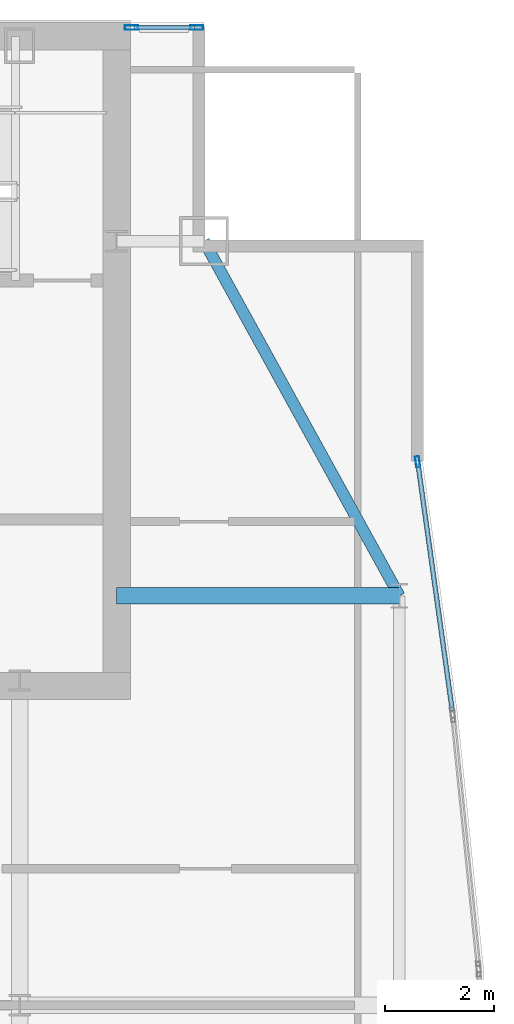
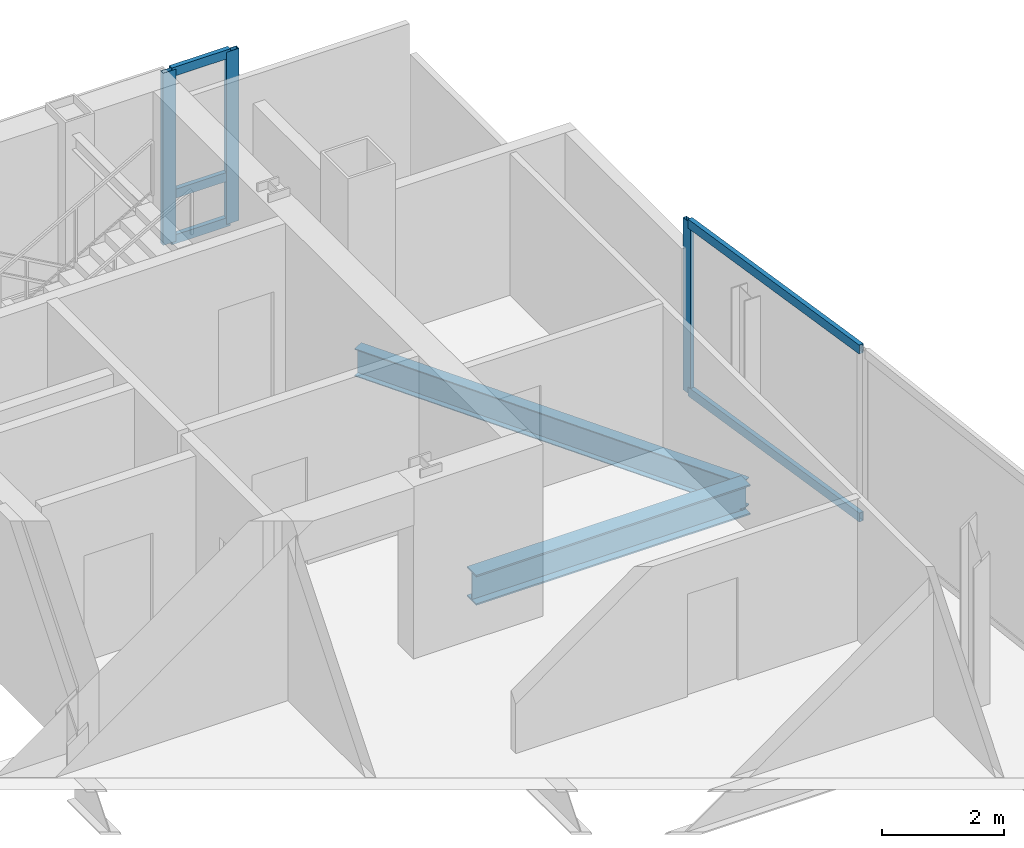
# One storey, part 19 of 26: 8 members, 2 beams, 2 elements without a shape of their own.
"""IFC4 building model written with IfcOpenShell, lengths in metres."""

from ifc_helpers import new_model, si_unit, direction, frame, origin, origin_2d, place, context, subcontext, project, spatial, hollow_rectangle, i_section, extrude, material, material_profile, profile_set, type_object, element, aggregate, save


model = new_model("IFC4")

# Units and contexts
model_context = context("Model", 3, precision=1e-05, world=origin(), true_north=direction((0.0, 1.0)))
body_context = subcontext(model_context, "Body", "Model", "MODEL_VIEW")
ifc_project = project(units=[si_unit("LENGTHUNIT", "METRE"), si_unit("AREAUNIT", "SQUARE_METRE"), si_unit("VOLUMEUNIT", "CUBIC_METRE"), si_unit("PLANEANGLEUNIT", "RADIAN"), si_unit("MASSUNIT", "GRAM", prefix="KILO")], contexts=[model_context])

# Site, building, storey
site_placement = place(None, origin())
site = spatial("IfcSite", under=ifc_project, at=site_placement, CompositionType="ELEMENT")
building_placement = place(site_placement, origin())
building = spatial("IfcBuilding", under=site, at=building_placement, Name="Khoronbel Lancet Exchange", CompositionType="ELEMENT")
storey_placement = place(building_placement, frame((0.0, 0.0, 339.800048828125)))
storey = spatial("IfcBuildingStorey", under=building, at=storey_placement, Name="L88", CompositionType="ELEMENT", Elevation=339.800048828125)

# Beams
ifc_material_1 = material(Name="Steel S355", Category="steel")
ifc_material_profile_1 = material_profile(ifc_material_1, i_section(OverallWidth=0.300048828125, OverallDepth=0.60009765625, WebThickness=0.015380859375, FlangeThickness=0.030029296875, at=origin_2d()), Name="HEB 600")
ifc_profile_set_1 = profile_set([ifc_material_profile_1], Name="Steel S355")
beam_type_1 = type_object("IfcBeamType", Name="BM-BG5", PredefinedType="BEAM", material=ifc_profile_set_1)
beam_1_placement = place(storey_placement, frame((56.449951171875, 43.199951171875, -0.4599609375), z_axis=(1.0, 0.0, 0.0), x_axis=(0.0, 1.0, 0.0)))
element("IfcBeam", 1, at=beam_1_placement, inside=storey, type_object=beam_type_1, Name="Level L88 east lens tie girder LG3E", PredefinedType="BEAM", context=body_context, shape_type="SweptSolid", body=[
    extrude(i_section(OverallWidth=0.300048828125, OverallDepth=0.60009765625, WebThickness=0.015380859375, FlangeThickness=0.030029296875, at=origin_2d()), origin(), (0.0, 0.0, 1.0), 5.179931640625),
])
ifc_material_profile_2 = material_profile(ifc_material_1, i_section(OverallWidth=0.2099609375, OverallDepth=0.550048828125, WebThickness=0.010986328125, FlangeThickness=0.01708984375, at=origin_2d()), Name="IPE 550")
ifc_profile_set_2 = profile_set([ifc_material_profile_2], Name="Steel S355")
beam_type_2 = type_object("IfcBeamType", Name="BM-BSP3", PredefinedType="SPANDREL", material=ifc_profile_set_2)
beam_2_placement = place(storey_placement, frame((61.6298828125, 43.199951171875, -0.43505859375), z_axis=(-0.482418808117, 0.875940690672, 0.0), x_axis=(-0.875940690672, -0.482418808117, 0.0)))
element("IfcBeam", 2, at=beam_2_placement, inside=storey, type_object=beam_type_2, Name="Level L88 perimeter spandrel beam SP13", PredefinedType="SPANDREL", context=body_context, shape_type="SweptSolid", body=[
    extrude(i_section(OverallWidth=0.2099609375, OverallDepth=0.550048828125, WebThickness=0.010986328125, FlangeThickness=0.01708984375, at=origin_2d()), origin(), (0.0, 0.0, 1.0), 7.420654296875),
])

# Curtain wall, members
ifc_material_2 = material(Name="Low-E Solar Control Insulating Glass", Category="glass")
curtain_wall_type_1 = type_object("IfcCurtainWallType", Name="CW-3", PredefinedType="NOTDEFINED", material=ifc_material_2)
curtain_wall_1_placement = place(storey_placement, origin())
curtain_wall_1 = element("IfcCurtainWall", 3, at=curtain_wall_1_placement, inside=storey, type_object=curtain_wall_type_1, Name="Unitised curtain wall CW-L88-NEFLK", PredefinedType="NOTDEFINED")
ifc_material_3 = material(Name="Bronze-Anodised Aluminium 6063-T6", Category="aluminium")
ifc_material_profile_3 = material_profile(ifc_material_3, hollow_rectangle(XDim=0.0849609375, YDim=0.239990234375, WallThickness=0.006103515625, at=origin_2d()), Name="ALU MULLION 85x240")
ifc_profile_set_3 = profile_set([ifc_material_profile_3], Name="Bronze-Anodised Aluminium 6063-T6")
member_type_1 = type_object("IfcMemberType", Name="MEM-CWM1", PredefinedType="MULLION", material=ifc_profile_set_3)
member_1_placement = place(storey_placement, frame((57.91748046875, 53.610107421875, 0.0), z_axis=(0.0, 0.0, 1.0), x_axis=(0.0, -1.0, 0.0)))
member_1 = element("IfcMember", 4, at=member_1_placement, type_object=member_type_1, Name="CW3 mullion 1", PredefinedType="MULLION", context=body_context, shape_type="SweptSolid", body=[
    extrude(hollow_rectangle(XDim=0.0849609375, YDim=0.239990234375, WallThickness=0.006103515625, at=origin_2d()), origin(), (0.0, 0.0, 1.0), 3.43994140625),
])
member_2_placement = place(storey_placement, frame((56.722412109375, 53.610107421875, 0.0), z_axis=(0.0, 0.0, 1.0), x_axis=(0.0, -1.0, 0.0)))
member_2 = element("IfcMember", 5, at=member_2_placement, type_object=member_type_1, Name="CW3 mullion 2", PredefinedType="MULLION", context=body_context, shape_type="SweptSolid", body=[
    extrude(hollow_rectangle(XDim=0.0849609375, YDim=0.239990234375, WallThickness=0.006103515625, at=origin_2d()), origin(), (0.0, 0.0, 1.0), 3.43994140625),
])

# Curtain wall, member
curtain_wall_type_2 = type_object("IfcCurtainWallType", Name="CW-4", PredefinedType="NOTDEFINED", material=ifc_material_2)
curtain_wall_2_placement = place(storey_placement, origin())
curtain_wall_2 = element("IfcCurtainWall", 6, at=curtain_wall_2_placement, inside=storey, type_object=curtain_wall_type_2, Name="Unitised curtain wall CW-L88-E17", PredefinedType="NOTDEFINED")
ifc_material_profile_4 = material_profile(ifc_material_3, hollow_rectangle(XDim=0.074951171875, YDim=0.199951171875, WallThickness=0.0048828125, at=origin_2d()), Name="ALU MULLION 75x200")
ifc_profile_set_4 = profile_set([ifc_material_profile_4], Name="Bronze-Anodised Aluminium 6063-T6")
member_type_2 = type_object("IfcMemberType", Name="MEM-CWM2", PredefinedType="MULLION", material=ifc_profile_set_4)
member_3_placement = place(storey_placement, frame((61.965087890625, 45.65673828125, 0.0), z_axis=(0.0, 0.0, 1.0), x_axis=(0.990474689219, 0.137694916451, 0.0)))
member_3 = element("IfcMember", 7, at=member_3_placement, type_object=member_type_2, Name="CW4 mullion 1", PredefinedType="MULLION", context=body_context, shape_type="SweptSolid", body=[
    extrude(hollow_rectangle(XDim=0.074951171875, YDim=0.199951171875, WallThickness=0.0048828125, at=origin_2d()), origin(), (0.0, 0.0, 1.0), 3.43994140625),
])

# Member
ifc_material_profile_5 = material_profile(ifc_material_3, hollow_rectangle(XDim=0.0849609375, YDim=0.179931640625, WallThickness=0.0048828125, at=origin_2d()), Name="ALU TRANSOM 85x180")
ifc_profile_set_5 = profile_set([ifc_material_profile_5], Name="Bronze-Anodised Aluminium 6063-T6")
member_type_3 = type_object("IfcMemberType", Name="MEM-CWT1", PredefinedType="USERDEFINED", material=ifc_profile_set_5)
member_4_placement = place(storey_placement, frame((57.875, 53.610107421875, 0.04248046875), z_axis=(-1.0, 0.0, 0.0), x_axis=(0.0, -1.0, 0.0)))
member_4 = element("IfcMember", 8, at=member_4_placement, type_object=member_type_3, Name="CW3 transom 1.1", ObjectType="TRANSOM", PredefinedType="USERDEFINED", context=body_context, shape_type="SweptSolid", body=[
    extrude(hollow_rectangle(XDim=0.0849609375, YDim=0.179931640625, WallThickness=0.0048828125, at=origin_2d()), origin(), (0.0, 0.0, 1.0), 1.110107421875),
])

member_5_placement = place(storey_placement, frame((57.875, 53.610107421875, 0.949951171875), z_axis=(-1.0, 0.0, 0.0), x_axis=(0.0, -1.0, 0.0)))
member_5 = element("IfcMember", 9, at=member_5_placement, type_object=member_type_3, Name="CW3 transom 1.2", ObjectType="TRANSOM", PredefinedType="USERDEFINED", context=body_context, shape_type="SweptSolid", body=[
    extrude(hollow_rectangle(XDim=0.0849609375, YDim=0.179931640625, WallThickness=0.0048828125, at=origin_2d()), origin(), (0.0, 0.0, 1.0), 1.110107421875),
])

member_6_placement = place(storey_placement, frame((57.875, 53.610107421875, 3.3974609375), z_axis=(-1.0, 0.0, 0.0), x_axis=(0.0, -1.0, 0.0)))
member_6 = element("IfcMember", 10, at=member_6_placement, type_object=member_type_3, Name="CW3 transom 1.3", ObjectType="TRANSOM", PredefinedType="USERDEFINED", context=body_context, shape_type="SweptSolid", body=[
    extrude(hollow_rectangle(XDim=0.0849609375, YDim=0.179931640625, WallThickness=0.0048828125, at=origin_2d()), origin(), (0.0, 0.0, 1.0), 1.110107421875),
])

aggregate(curtain_wall_1, [member_1, member_2, member_4, member_5, member_6])

member_7_placement = place(storey_placement, frame((61.97021484375, 45.61962890625, 0.04248046875), z_axis=(0.137722811657, -0.990470810852, 0.0), x_axis=(0.990470810852, 0.137722811657, 0.0)))
member_7 = element("IfcMember", 11, at=member_7_placement, type_object=member_type_3, Name="CW4 transom 1.1", ObjectType="TRANSOM", PredefinedType="USERDEFINED", context=body_context, shape_type="SweptSolid", body=[
    extrude(hollow_rectangle(XDim=0.0849609375, YDim=0.179931640625, WallThickness=0.0048828125, at=origin_2d()), origin(), (0.0, 0.0, 1.0), 4.56640625),
])

member_8_placement = place(storey_placement, frame((61.97021484375, 45.61962890625, 3.3974609375), z_axis=(0.137722811657, -0.990470810852, 0.0), x_axis=(0.990470810852, 0.137722811657, 0.0)))
member_8 = element("IfcMember", 12, at=member_8_placement, type_object=member_type_3, Name="CW4 transom 1.2", ObjectType="TRANSOM", PredefinedType="USERDEFINED", context=body_context, shape_type="SweptSolid", body=[
    extrude(hollow_rectangle(XDim=0.0849609375, YDim=0.179931640625, WallThickness=0.0048828125, at=origin_2d()), origin(), (0.0, 0.0, 1.0), 4.56640625),
])

aggregate(curtain_wall_2, [member_3, member_7, member_8])

save(model, "model.ifc")
